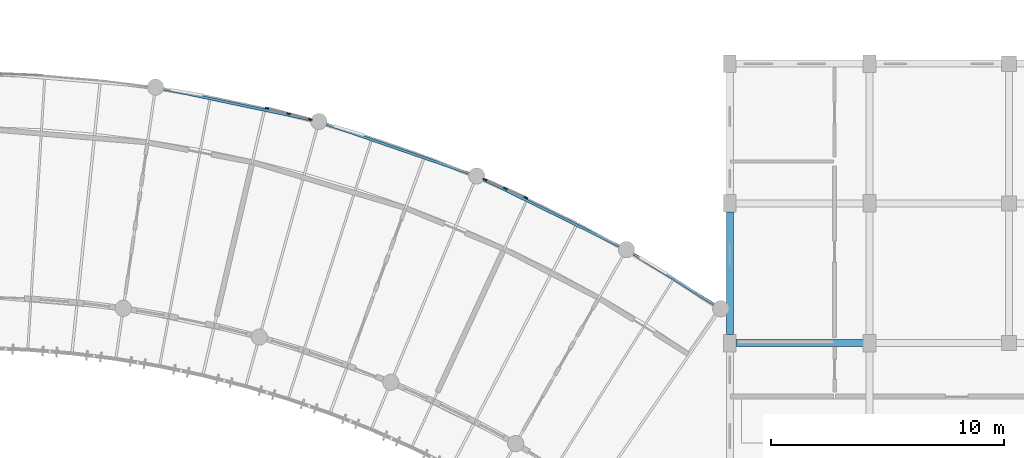
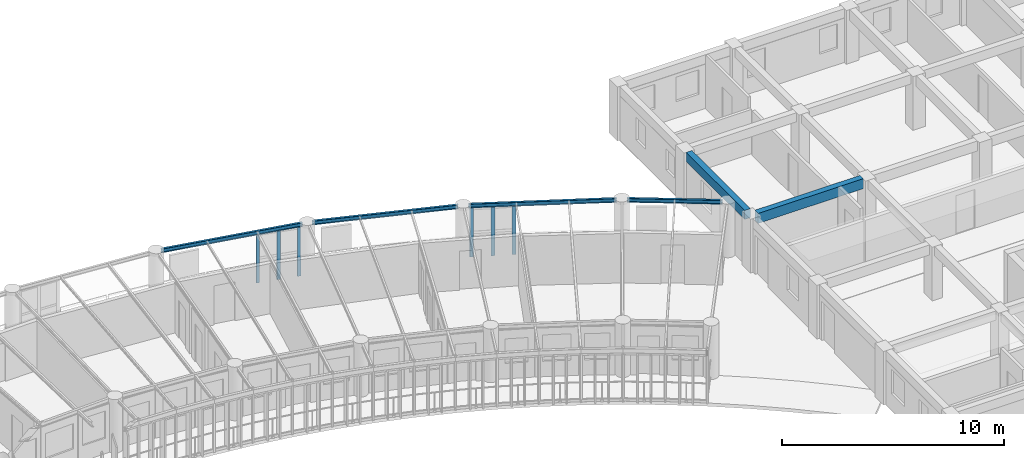
# One storey, part 56 of 123: 6 beams, 6 members, 2 elements without a shape of their own.
"""IFC4 building model written with IfcOpenShell, lengths in metres."""

import ifcopenshell
import ifcopenshell.guid

model = None  # the IFC model being written
_history = None  # IfcOwnerHistory: only IFC2X3 demands one
_inside = {}  # id of a spatial element -> (the spatial element, [elements in it])
_under = {}  # id of a project, library or spatial element -> (it, [spatial elements below it])
_declared = {}  # id of a project -> (the project, [libraries it declares])
_typed = {}  # id of a type object -> (the type object, [elements of that type])
_made_of = {}  # id of a material, layer set ... -> (it, [elements and type objects made of it])


def new_model(schema):
    """Start an empty IFC model of exactly this schema.

    Asked for "IFC4X3", IfcOpenShell would pick the latest addendum, in which some entities
    have other attributes; the version numbers below select the first issue.
    IFC2X3 requires an IfcOwnerHistory on every rooted entity: one is made here for all.
    """
    global model, _history
    if schema == "IFC4X3":
        model = ifcopenshell.file(schema_version=(4, 3, 0, 0))
    else:
        model = ifcopenshell.file(schema=schema)
    _inside.clear()
    _under.clear()
    _declared.clear()
    _typed.clear()
    _made_of.clear()
    _history = None
    if model.schema == "IFC2X3":
        org = make("IfcOrganization", Name="unknown")
        user = make(
            "IfcPersonAndOrganization",
            ThePerson=make("IfcPerson", FamilyName="unknown"),
            TheOrganization=org,
        )
        app = make(
            "IfcApplication",
            ApplicationDeveloper=org,
            Version="unknown",
            ApplicationFullName="unknown",
            ApplicationIdentifier="unknown",
        )
        _history = make(
            "IfcOwnerHistory",
            OwningUser=user,
            OwningApplication=app,
            ChangeAction="ADDED",
            CreationDate=0,
        )
    return model


def make(cls, **values):
    """One entity of the class cls with the attributes given. An attribute that is None is left unset."""
    return model.create_entity(
        cls, **{name: value for name, value in values.items() if value is not None}
    )


def rooted(cls, **values):
    """An entity with a GlobalId (a new one), such as an element, a storey or a relation."""
    return make(cls, GlobalId=ifcopenshell.guid.new(), OwnerHistory=_history, **values)


def si_unit(unit_type, name, prefix=None):
    """IfcSIUnit, for example si_unit("LENGTHUNIT", "METRE", prefix="MILLI")."""
    return make("IfcSIUnit", UnitType=unit_type, Prefix=prefix, Name=name)


def assignment(units):
    """IfcUnitAssignment: the units of a project."""
    return None if units is None else make("IfcUnitAssignment", Units=units)


def point(xyz):
    """IfcCartesianPoint."""
    return None if xyz is None else make("IfcCartesianPoint", Coordinates=xyz)


def direction(xyz):
    """IfcDirection."""
    return None if xyz is None else make("IfcDirection", DirectionRatios=xyz)


def frame(location, z_axis=None, x_axis=None):
    """IfcAxis2Placement3D, a coordinate frame: its origin and axes. An axis left out is left unset."""
    return make(
        "IfcAxis2Placement3D",
        Location=point(location),
        Axis=direction(z_axis),
        RefDirection=direction(x_axis),
    )


def frame_2d(location, x_axis=None):
    """IfcAxis2Placement2D, a coordinate frame in the plane: its origin and x axis."""
    return make(
        "IfcAxis2Placement2D", Location=point(location), RefDirection=direction(x_axis)
    )


def origin():
    """The frame at (0, 0, 0) with its axes left unset."""
    return frame((0.0, 0.0, 0.0))


def origin_2d():
    """The frame at (0, 0) in the plane with its x axis left unset."""
    return frame_2d((0.0, 0.0))


def place(relative_to, where):
    """IfcLocalPlacement: puts the frame where relative to a parent placement (None: the world)."""
    return make(
        "IfcLocalPlacement", PlacementRelTo=relative_to, RelativePlacement=where
    )


def context(
    kind, dimensions, precision=None, world=None, true_north=None, identifier=None
):
    """IfcGeometricRepresentationContext, for example the 3D "Model" context."""
    return make(
        "IfcGeometricRepresentationContext",
        ContextIdentifier=identifier,
        ContextType=kind,
        CoordinateSpaceDimension=dimensions,
        Precision=precision,
        WorldCoordinateSystem=world,
        TrueNorth=true_north,
    )


def subcontext(parent, identifier, kind, view, scale=None):
    """IfcGeometricRepresentationSubContext, for example "Body" below "Model"."""
    return make(
        "IfcGeometricRepresentationSubContext",
        ContextIdentifier=identifier,
        ContextType=kind,
        ParentContext=parent,
        TargetScale=scale,
        TargetView=view,
    )


def project(units=None, contexts=None):
    """IfcProject with its units and contexts."""
    return rooted(
        "IfcProject",
        Name="project",
        RepresentationContexts=contexts,
        UnitsInContext=assignment(units),
    )


def spatial(cls, under=None, at=None, **own):
    """A site, building, storey or space (cls), placed at a placement, below another one or the project."""
    s = rooted(cls, ObjectPlacement=at, **own)
    if under is not None:
        _under.setdefault(under.id(), (under, []))[1].append(s)
    return s


def profile(cls, at=None, kind="AREA", **sizes):
    """A parametric profile (cls). Its sizes go by their IFC names, for example OverallWidth=200.0."""
    return make(cls, ProfileType=kind, Position=at, **sizes)


def rectangle(**sizes):
    """IfcRectangleProfileDef."""
    return profile("IfcRectangleProfileDef", **sizes)


def i_section(**sizes):
    """IfcIShapeProfileDef."""
    return profile("IfcIShapeProfileDef", **sizes)


def extrude(swept, where, along, depth):
    """IfcExtrudedAreaSolid: the profile swept, set in the frame where, extruded along a direction by depth."""
    return make(
        "IfcExtrudedAreaSolid",
        SweptArea=swept,
        Position=where,
        ExtrudedDirection=direction(along),
        Depth=depth,
    )


def shape(context_of_items, identifier, shape_type, items):
    """IfcShapeRepresentation: the items that make up one representation, for example the "Body"."""
    return make(
        "IfcShapeRepresentation",
        ContextOfItems=context_of_items,
        RepresentationIdentifier=identifier,
        RepresentationType=shape_type,
        Items=items,
    )


def material(Name=None, Category=None):
    """IfcMaterial."""
    return make("IfcMaterial", Name=Name, Category=Category)


def layer(
    of_material, thickness, ventilated=None, Name=None, Category=None, Priority=None
):
    """IfcMaterialLayer: one layer of a wall or slab, of a material (None: an air gap)."""
    return make(
        "IfcMaterialLayer",
        Material=of_material,
        LayerThickness=thickness,
        IsVentilated=ventilated,
        Name=Name,
        Category=Category,
        Priority=Priority,
    )


def layer_set(layers, Name=None):
    """IfcMaterialLayerSet."""
    return make("IfcMaterialLayerSet", MaterialLayers=layers, LayerSetName=Name)


def material_profile(
    of_material, cross_section, Name=None, Category=None, Priority=None
):
    """IfcMaterialProfile: a cross section and its material."""
    return make(
        "IfcMaterialProfile",
        Name=Name,
        Material=of_material,
        Profile=cross_section,
        Priority=Priority,
        Category=Category,
    )


def profile_set(profiles, Name=None, composite=None):
    """IfcMaterialProfileSet."""
    return make(
        "IfcMaterialProfileSet",
        Name=Name,
        MaterialProfiles=profiles,
        CompositeProfile=composite,
    )


def made_of(thing, what):
    """Note that an element or type object is made of a material, layer set ...; save() writes the relation."""
    if what is not None:
        _made_of.setdefault(what.id(), (what, []))[1].append(thing)
    return thing


def type_object(cls, material=None, **own):
    """A type object (cls), such as IfcWallType, which elements share."""
    return made_of(rooted(cls, **own), material)


def element(
    cls,
    number,
    at=None,
    inside=None,
    cuts=None,
    type_object=None,
    material=None,
    context=None,
    identifier="Body",
    shape_type=None,
    held_by="IfcProductDefinitionShape",
    body=None,
    shapes=None,
    **own,
):
    """One element of the class cls, such as IfcWall. Its Tag is "e" and its number.

    at: its placement. inside: the storey or other place that contains it. cuts: it is an
    opening in that element (IfcRelVoidsElement). A single representation is given by context,
    identifier, shape_type and body (its items); several are given by shapes. held_by: the class
    of the entity that holds the representations. save() writes the other relations.
    """
    e = rooted(cls, Tag="e%d" % number, ObjectPlacement=at, **own)
    if body is not None:
        shapes = [shape(context, identifier, shape_type, body)]
    if shapes is not None:
        e.Representation = make(held_by, Representations=shapes)
    if inside is not None:
        _inside.setdefault(inside.id(), (inside, []))[1].append(e)
    if cuts is not None:
        rooted(
            "IfcRelVoidsElement", RelatingBuildingElement=cuts, RelatedOpeningElement=e
        )
    if type_object is not None:
        _typed.setdefault(type_object.id(), (type_object, []))[1].append(e)
    return made_of(e, material)


def aggregate(whole, parts):
    """IfcRelAggregates: a whole, such as a stair, and the parts it consists of."""
    return rooted("IfcRelAggregates", RelatingObject=whole, RelatedObjects=parts)


def save(model, path):
    """Write the relations noted so far, then the file.

    IfcRelAggregates (storeys below a building ...), IfcRelContainedInSpatialStructure (elements
    in a storey), IfcRelDefinesByType, IfcRelAssociatesMaterial and IfcRelDeclares: one each for
    every whole, place, type object, material and project.
    """
    for whole, parts in _under.values():
        aggregate(whole, parts)
    for where, things in _inside.values():
        rooted(
            "IfcRelContainedInSpatialStructure",
            RelatedElements=things,
            RelatingStructure=where,
        )
    for kind, things in _typed.values():
        rooted("IfcRelDefinesByType", RelatedObjects=things, RelatingType=kind)
    for what, things in _made_of.values():
        rooted("IfcRelAssociatesMaterial", RelatedObjects=things, RelatingMaterial=what)
    for by, libraries in _declared.values():
        rooted("IfcRelDeclares", RelatingContext=by, RelatedDefinitions=libraries)
    model.write(path)


model = new_model("IFC4")

# Units and contexts
model_context = context("Model", 3, precision=1e-05, world=origin(), true_north=direction((0.0, 1.0)))
body_context = subcontext(model_context, "Body", "Model", "MODEL_VIEW")
ifc_project = project(units=[si_unit("LENGTHUNIT", "METRE"), si_unit("AREAUNIT", "SQUARE_METRE"), si_unit("VOLUMEUNIT", "CUBIC_METRE"), si_unit("PLANEANGLEUNIT", "RADIAN"), si_unit("MASSUNIT", "GRAM", prefix="KILO"), si_unit("POWERUNIT", "WATT"), si_unit("THERMODYNAMICTEMPERATUREUNIT", "KELVIN")], contexts=[model_context])

# Site, building, storey
site_placement = place(None, origin())
site = spatial("IfcSite", under=ifc_project, at=site_placement, CompositionType="ELEMENT")
building_placement = place(site_placement, origin())
building = spatial("IfcBuilding", under=site, at=building_placement, Name="Ruvembo Vaulted Housing Court", CompositionType="ELEMENT")
storey_placement = place(building_placement, frame((0.0, 0.0, 7.699951171875)))
storey = spatial("IfcBuildingStorey", under=building, at=storey_placement, Name="L02", CompositionType="ELEMENT", Elevation=7.699951171875)

# Beams
ifc_material_1 = material(Name="Concrete C35/45", Category="concrete")
ifc_material_profile_1 = material_profile(ifc_material_1, rectangle(XDim=0.300048828125, YDim=0.550048828125, at=origin_2d()), Name="RC 300x550")
ifc_profile_set_1 = profile_set([ifc_material_profile_1], Name="Concrete C35/45")
beam_type_1 = type_object("IfcBeamType", Name="BM-RC-300x550", PredefinedType="BEAM", material=ifc_profile_set_1)
beam_1_placement = place(storey_placement, frame((150.260009765625, 96.0, 2.679931640625), z_axis=(1.0, 0.0, 0.0), x_axis=(0.0, 1.0, 0.0)))
element("IfcBeam", 1, at=beam_1_placement, inside=storey, type_object=beam_type_1, Name="L02 Grid Beam X #1533", PredefinedType="BEAM", context=body_context, shape_type="SweptSolid", body=[
    extrude(rectangle(XDim=0.300048828125, YDim=0.550048828125, at=origin_2d()), origin(), (0.0, 0.0, 1.0), 5.47998046875),
])
ifc_material_2 = material(Name="Steel S355J2", Category="steel")
ifc_material_profile_2 = material_profile(ifc_material_2, i_section(OverallWidth=0.110107421875, OverallDepth=0.219970703125, WebThickness=0.005859375, FlangeThickness=0.00927734375, FilletRadius=0.011962890625, at=origin_2d()), Name="IPE 220")
ifc_profile_set_2 = profile_set([ifc_material_profile_2], Name="Steel S355J2")
beam_type_2 = type_object("IfcBeamType", Name="BM-ST-IPE220", PredefinedType="SPANDREL", material=ifc_profile_set_2)
for number, where, z_axis, x_axis, name in (
    (2, (125.564208984375, 106.94580078125, 2.83203125), (0.978539744328, -0.206058168417, 0.0), (0.206058168417, 0.978539744328, 0.0), "Scoop SC3 L02 Chord Girder B18"),
    (3, (132.571044921875, 105.44091796875, 2.83203125), (0.945368340615, -0.326004141942, 0.0), (0.326004141942, 0.945368340615, 0.0), "Scoop SC3 L02 Chord Girder B21"),
):
    element("IfcBeam", number, at=place(storey_placement, frame(where, z_axis=z_axis, x_axis=x_axis)), inside=storey, type_object=beam_type_2, Name=name, PredefinedType="SPANDREL", context=body_context, shape_type="SweptSolid", body=[
        extrude(i_section(OverallWidth=0.110107421875, OverallDepth=0.219970703125, WebThickness=0.005859375, FlangeThickness=0.00927734375, FilletRadius=0.011962890625, at=origin_2d()), origin(), (0.0, 0.0, 1.0), 6.70849609375),
    ])
beam_2_placement = place(storey_placement, frame((139.3369140625, 103.07763671875, 2.83203125), z_axis=(0.897549525585, -0.440913652683, 0.0), x_axis=(0.440913652683, 0.897549525585, 0.0)))
element("IfcBeam", 4, at=beam_2_placement, inside=storey, type_object=beam_type_2, Name="Scoop SC3 L02 Chord Girder B24", PredefinedType="SPANDREL", context=body_context, shape_type="SweptSolid", body=[
    extrude(i_section(OverallWidth=0.110107421875, OverallDepth=0.219970703125, WebThickness=0.005859375, FlangeThickness=0.00927734375, FilletRadius=0.011962890625, at=origin_2d()), origin(), (0.0, 0.0, 1.0), 6.708251953125),
])
beam_3_placement = place(storey_placement, frame((145.75927734375, 99.896240234375, 2.83203125), z_axis=(0.84702548378, -0.53155228325, 0.0), x_axis=(0.53155228325, 0.84702548378, 0.0)))
element("IfcBeam", 5, at=beam_3_placement, inside=storey, type_object=beam_type_2, Name="Scoop SC3 L02 Chord Girder B27", PredefinedType="SPANDREL", context=body_context, shape_type="SweptSolid", body=[
    extrude(i_section(OverallWidth=0.110107421875, OverallDepth=0.219970703125, WebThickness=0.005859375, FlangeThickness=0.00927734375, FilletRadius=0.011962890625, at=origin_2d()), origin(), (0.0, 0.0, 1.0), 4.320556640625),
])

# Curtain wall, members
ifc_material_3 = material(Name="Anodised Aluminium and Solar-Control Glass", Category="aluminium")
ifc_layer = layer(ifc_material_3, 0.139892578125, Name="Anodised Aluminium and Solar-Control Glass")
ifc_layer_set = layer_set([ifc_layer], Name="Anodised Aluminium and Solar-Control Glass")
curtain_wall_type = type_object("IfcCurtainWallType", Name="CW-SCOOP-PAN", PredefinedType="NOTDEFINED", material=ifc_layer_set)
curtain_wall_1_placement = place(storey_placement, origin())
curtain_wall_1 = element("IfcCurtainWall", 6, at=curtain_wall_1_placement, inside=storey, type_object=curtain_wall_type, Name="L02 Curtain Wall CW-L02-0070", PredefinedType="NOTDEFINED")
ifc_material_4 = material(Name="Anodised Aluminium 6063-T6", Category="aluminium")
ifc_material_profile_3 = material_profile(ifc_material_4, rectangle(XDim=0.06494140625, YDim=0.179931640625, at=origin_2d()), Name="ALU 65x180")
ifc_profile_set_3 = profile_set([ifc_material_profile_3], Name="Anodised Aluminium 6063-T6")
member_type_1 = type_object("IfcMemberType", Name="CW-MUL-65x180", PredefinedType="MULLION", material=ifc_profile_set_3)
member_1_placement = place(storey_placement, frame((139.48046875, 103.024658203125, 0.0), z_axis=(0.0, 0.0, 1.0), x_axis=(0.403265448713, 0.91508304425, 0.0)))
member_1 = element("IfcMember", 7, at=member_1_placement, type_object=member_type_1, Name="CW10 mullion 1", PredefinedType="MULLION", context=body_context, shape_type="SweptSolid", body=[
    extrude(rectangle(XDim=0.06494140625, YDim=0.179931640625, at=origin_2d()), origin(), (0.0, 0.0, 1.0), 2.697998046875),
])
member_2_placement = place(storey_placement, frame((140.361572265625, 102.636474609375, 0.0), z_axis=(0.0, 0.0, 1.0), x_axis=(0.403265448713, 0.91508304425, 0.0)))
member_2 = element("IfcMember", 8, at=member_2_placement, type_object=member_type_1, Name="CW10 mullion 2", PredefinedType="MULLION", context=body_context, shape_type="SweptSolid", body=[
    extrude(rectangle(XDim=0.06494140625, YDim=0.179931640625, at=origin_2d()), origin(), (0.0, 0.0, 1.0), 2.697998046875),
])
member_3_placement = place(storey_placement, frame((141.24267578125, 102.248046875, 0.0), z_axis=(0.0, 0.0, 1.0), x_axis=(0.403265448713, 0.91508304425, 0.0)))
member_3 = element("IfcMember", 9, at=member_3_placement, type_object=member_type_1, Name="CW10 mullion 3", PredefinedType="MULLION", context=body_context, shape_type="SweptSolid", body=[
    extrude(rectangle(XDim=0.06494140625, YDim=0.179931640625, at=origin_2d()), origin(), (0.0, 0.0, 1.0), 2.697998046875),
])
aggregate(curtain_wall_1, [member_1, member_2, member_3])

curtain_wall_2_placement = place(storey_placement, origin())
curtain_wall_2 = element("IfcCurtainWall", 10, at=curtain_wall_2_placement, inside=storey, type_object=curtain_wall_type, Name="L02 Curtain Wall CW-L02-0069", PredefinedType="NOTDEFINED")
ifc_material_profile_4 = material_profile(ifc_material_4, rectangle(XDim=0.06005859375, YDim=0.159912109375, at=origin_2d()), Name="ALU 60x160")
ifc_profile_set_4 = profile_set([ifc_material_profile_4], Name="Anodised Aluminium 6063-T6")
member_type_2 = type_object("IfcMemberType", Name="CW-MULLION-65x150", PredefinedType="MULLION", material=ifc_profile_set_4)
member_4_placement = place(storey_placement, frame((130.1142578125, 106.085693359375, 0.0), z_axis=(0.0, 0.0, 1.0), x_axis=(0.246481144869, 0.969147586916, 0.0)))
member_4 = element("IfcMember", 11, at=member_4_placement, type_object=member_type_2, Name="CW10 mullion 1", PredefinedType="MULLION", context=body_context, shape_type="SweptSolid", body=[
    extrude(rectangle(XDim=0.06005859375, YDim=0.159912109375, at=origin_2d()), origin(), (0.0, 0.0, 1.0), 2.697998046875),
])
member_5_placement = place(storey_placement, frame((131.0498046875, 105.84765625, 0.0), z_axis=(0.0, 0.0, 1.0), x_axis=(0.246481144869, 0.969147586916, 0.0)))
member_5 = element("IfcMember", 12, at=member_5_placement, type_object=member_type_2, Name="CW10 mullion 2", PredefinedType="MULLION", context=body_context, shape_type="SweptSolid", body=[
    extrude(rectangle(XDim=0.06005859375, YDim=0.159912109375, at=origin_2d()), origin(), (0.0, 0.0, 1.0), 2.697998046875),
])
member_6_placement = place(storey_placement, frame((131.9853515625, 105.609619140625, 0.0), z_axis=(0.0, 0.0, 1.0), x_axis=(0.246481144869, 0.969147586916, 0.0)))
member_6 = element("IfcMember", 13, at=member_6_placement, type_object=member_type_2, Name="CW10 mullion 3", PredefinedType="MULLION", context=body_context, shape_type="SweptSolid", body=[
    extrude(rectangle(XDim=0.06005859375, YDim=0.159912109375, at=origin_2d()), origin(), (0.0, 0.0, 1.0), 2.697998046875),
])
aggregate(curtain_wall_2, [member_4, member_5, member_6])

# Beam
ifc_material_profile_5 = material_profile(ifc_material_1, rectangle(XDim=0.300048828125, YDim=0.5, at=origin_2d()), Name="RC 300x500")
ifc_profile_set_5 = profile_set([ifc_material_profile_5], Name="Concrete C35/45")
beam_type_3 = type_object("IfcBeamType", Name="SP-RC-300x500", PredefinedType="SPANDREL", material=ifc_profile_set_5)
beam_4_placement = place(storey_placement, frame((150.0, 96.360107421875, 2.705078125), z_axis=(0.0, 1.0, 0.0), x_axis=(-1.0, 0.0, 0.0)))
element("IfcBeam", 14, at=beam_4_placement, inside=storey, type_object=beam_type_3, Name="L02 Grid Beam Y #1678", PredefinedType="SPANDREL", context=body_context, shape_type="SweptSolid", body=[
    extrude(rectangle(XDim=0.300048828125, YDim=0.5, at=origin_2d()), origin(), (0.0, 0.0, 1.0), 5.27978515625),
])

save(model, "model.ifc")
